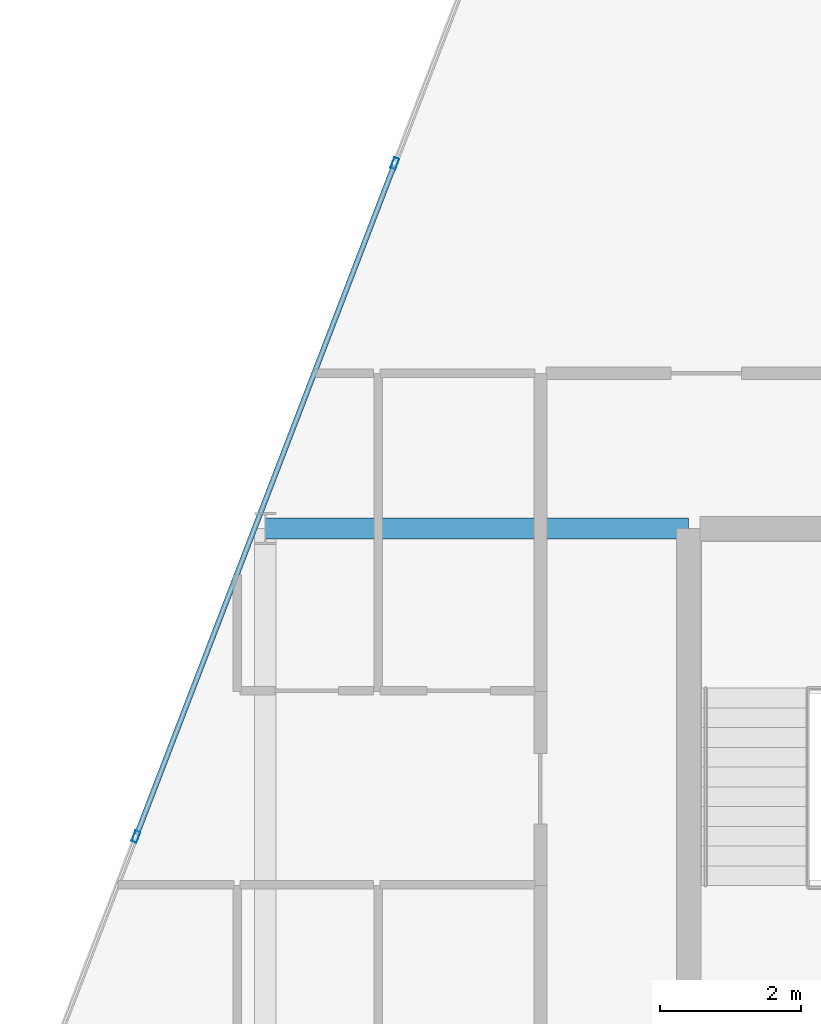
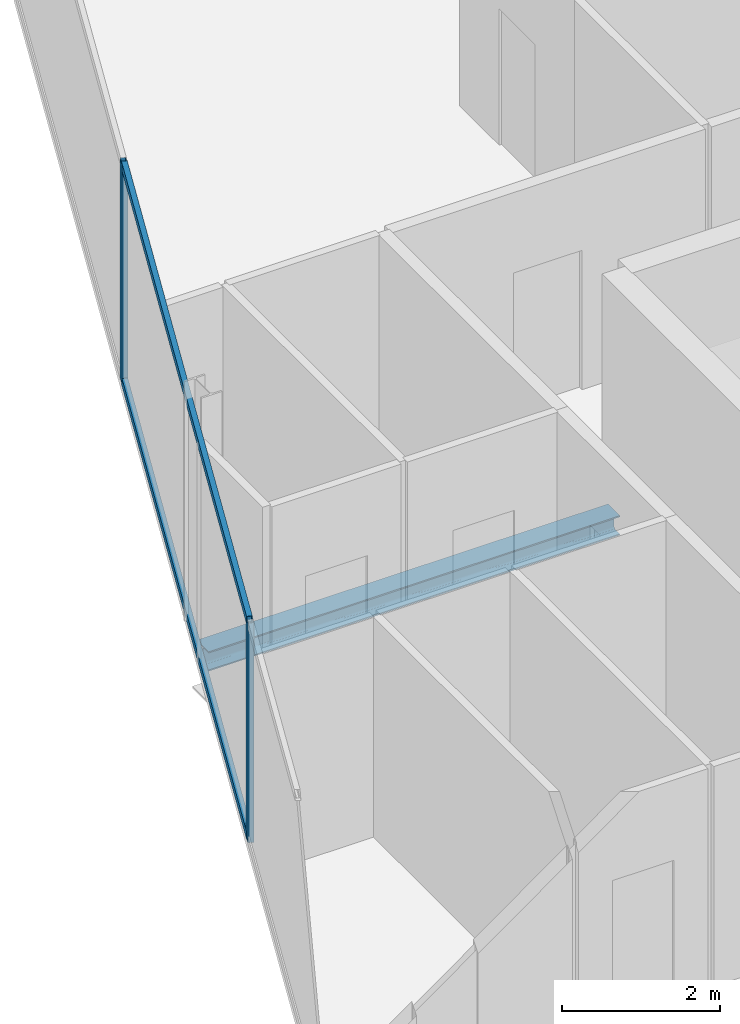
# One storey, part 16 of 29: 4 members, 1 beam, 1 element without a shape of its own.
"""IFC4 building model written with IfcOpenShell, lengths in metres."""

import ifcopenshell
import ifcopenshell.guid

model = None  # the IFC model being written
_history = None  # IfcOwnerHistory: only IFC2X3 demands one
_inside = {}  # id of a spatial element -> (the spatial element, [elements in it])
_under = {}  # id of a project, library or spatial element -> (it, [spatial elements below it])
_declared = {}  # id of a project -> (the project, [libraries it declares])
_typed = {}  # id of a type object -> (the type object, [elements of that type])
_made_of = {}  # id of a material, layer set ... -> (it, [elements and type objects made of it])


def new_model(schema):
    """Start an empty IFC model of exactly this schema.

    Asked for "IFC4X3", IfcOpenShell would pick the latest addendum, in which some entities
    have other attributes; the version numbers below select the first issue.
    IFC2X3 requires an IfcOwnerHistory on every rooted entity: one is made here for all.
    """
    global model, _history
    if schema == "IFC4X3":
        model = ifcopenshell.file(schema_version=(4, 3, 0, 0))
    else:
        model = ifcopenshell.file(schema=schema)
    _inside.clear()
    _under.clear()
    _declared.clear()
    _typed.clear()
    _made_of.clear()
    _history = None
    if model.schema == "IFC2X3":
        org = make("IfcOrganization", Name="unknown")
        user = make(
            "IfcPersonAndOrganization",
            ThePerson=make("IfcPerson", FamilyName="unknown"),
            TheOrganization=org,
        )
        app = make(
            "IfcApplication",
            ApplicationDeveloper=org,
            Version="unknown",
            ApplicationFullName="unknown",
            ApplicationIdentifier="unknown",
        )
        _history = make(
            "IfcOwnerHistory",
            OwningUser=user,
            OwningApplication=app,
            ChangeAction="ADDED",
            CreationDate=0,
        )
    return model


def make(cls, **values):
    """One entity of the class cls with the attributes given. An attribute that is None is left unset."""
    return model.create_entity(
        cls, **{name: value for name, value in values.items() if value is not None}
    )


def rooted(cls, **values):
    """An entity with a GlobalId (a new one), such as an element, a storey or a relation."""
    return make(cls, GlobalId=ifcopenshell.guid.new(), OwnerHistory=_history, **values)


def si_unit(unit_type, name, prefix=None):
    """IfcSIUnit, for example si_unit("LENGTHUNIT", "METRE", prefix="MILLI")."""
    return make("IfcSIUnit", UnitType=unit_type, Prefix=prefix, Name=name)


def assignment(units):
    """IfcUnitAssignment: the units of a project."""
    return None if units is None else make("IfcUnitAssignment", Units=units)


def point(xyz):
    """IfcCartesianPoint."""
    return None if xyz is None else make("IfcCartesianPoint", Coordinates=xyz)


def direction(xyz):
    """IfcDirection."""
    return None if xyz is None else make("IfcDirection", DirectionRatios=xyz)


def frame(location, z_axis=None, x_axis=None):
    """IfcAxis2Placement3D, a coordinate frame: its origin and axes. An axis left out is left unset."""
    return make(
        "IfcAxis2Placement3D",
        Location=point(location),
        Axis=direction(z_axis),
        RefDirection=direction(x_axis),
    )


def frame_2d(location, x_axis=None):
    """IfcAxis2Placement2D, a coordinate frame in the plane: its origin and x axis."""
    return make(
        "IfcAxis2Placement2D", Location=point(location), RefDirection=direction(x_axis)
    )


def origin():
    """The frame at (0, 0, 0) with its axes left unset."""
    return frame((0.0, 0.0, 0.0))


def origin_2d():
    """The frame at (0, 0) in the plane with its x axis left unset."""
    return frame_2d((0.0, 0.0))


def place(relative_to, where):
    """IfcLocalPlacement: puts the frame where relative to a parent placement (None: the world)."""
    return make(
        "IfcLocalPlacement", PlacementRelTo=relative_to, RelativePlacement=where
    )


def context(
    kind, dimensions, precision=None, world=None, true_north=None, identifier=None
):
    """IfcGeometricRepresentationContext, for example the 3D "Model" context."""
    return make(
        "IfcGeometricRepresentationContext",
        ContextIdentifier=identifier,
        ContextType=kind,
        CoordinateSpaceDimension=dimensions,
        Precision=precision,
        WorldCoordinateSystem=world,
        TrueNorth=true_north,
    )


def subcontext(parent, identifier, kind, view, scale=None):
    """IfcGeometricRepresentationSubContext, for example "Body" below "Model"."""
    return make(
        "IfcGeometricRepresentationSubContext",
        ContextIdentifier=identifier,
        ContextType=kind,
        ParentContext=parent,
        TargetScale=scale,
        TargetView=view,
    )


def project(units=None, contexts=None):
    """IfcProject with its units and contexts."""
    return rooted(
        "IfcProject",
        Name="project",
        RepresentationContexts=contexts,
        UnitsInContext=assignment(units),
    )


def spatial(cls, under=None, at=None, **own):
    """A site, building, storey or space (cls), placed at a placement, below another one or the project."""
    s = rooted(cls, ObjectPlacement=at, **own)
    if under is not None:
        _under.setdefault(under.id(), (under, []))[1].append(s)
    return s


def profile(cls, at=None, kind="AREA", **sizes):
    """A parametric profile (cls). Its sizes go by their IFC names, for example OverallWidth=200.0."""
    return make(cls, ProfileType=kind, Position=at, **sizes)


def hollow_rectangle(**sizes):
    """IfcRectangleHollowProfileDef."""
    return profile("IfcRectangleHollowProfileDef", **sizes)


def i_section(**sizes):
    """IfcIShapeProfileDef."""
    return profile("IfcIShapeProfileDef", **sizes)


def extrude(swept, where, along, depth):
    """IfcExtrudedAreaSolid: the profile swept, set in the frame where, extruded along a direction by depth."""
    return make(
        "IfcExtrudedAreaSolid",
        SweptArea=swept,
        Position=where,
        ExtrudedDirection=direction(along),
        Depth=depth,
    )


def shape(context_of_items, identifier, shape_type, items):
    """IfcShapeRepresentation: the items that make up one representation, for example the "Body"."""
    return make(
        "IfcShapeRepresentation",
        ContextOfItems=context_of_items,
        RepresentationIdentifier=identifier,
        RepresentationType=shape_type,
        Items=items,
    )


def material(Name=None, Category=None):
    """IfcMaterial."""
    return make("IfcMaterial", Name=Name, Category=Category)


def layer(
    of_material, thickness, ventilated=None, Name=None, Category=None, Priority=None
):
    """IfcMaterialLayer: one layer of a wall or slab, of a material (None: an air gap)."""
    return make(
        "IfcMaterialLayer",
        Material=of_material,
        LayerThickness=thickness,
        IsVentilated=ventilated,
        Name=Name,
        Category=Category,
        Priority=Priority,
    )


def layer_set(layers, Name=None):
    """IfcMaterialLayerSet."""
    return make("IfcMaterialLayerSet", MaterialLayers=layers, LayerSetName=Name)


def material_profile(
    of_material, cross_section, Name=None, Category=None, Priority=None
):
    """IfcMaterialProfile: a cross section and its material."""
    return make(
        "IfcMaterialProfile",
        Name=Name,
        Material=of_material,
        Profile=cross_section,
        Priority=Priority,
        Category=Category,
    )


def profile_set(profiles, Name=None, composite=None):
    """IfcMaterialProfileSet."""
    return make(
        "IfcMaterialProfileSet",
        Name=Name,
        MaterialProfiles=profiles,
        CompositeProfile=composite,
    )


def made_of(thing, what):
    """Note that an element or type object is made of a material, layer set ...; save() writes the relation."""
    if what is not None:
        _made_of.setdefault(what.id(), (what, []))[1].append(thing)
    return thing


def type_object(cls, material=None, **own):
    """A type object (cls), such as IfcWallType, which elements share."""
    return made_of(rooted(cls, **own), material)


def element(
    cls,
    number,
    at=None,
    inside=None,
    cuts=None,
    type_object=None,
    material=None,
    context=None,
    identifier="Body",
    shape_type=None,
    held_by="IfcProductDefinitionShape",
    body=None,
    shapes=None,
    **own,
):
    """One element of the class cls, such as IfcWall. Its Tag is "e" and its number.

    at: its placement. inside: the storey or other place that contains it. cuts: it is an
    opening in that element (IfcRelVoidsElement). A single representation is given by context,
    identifier, shape_type and body (its items); several are given by shapes. held_by: the class
    of the entity that holds the representations. save() writes the other relations.
    """
    e = rooted(cls, Tag="e%d" % number, ObjectPlacement=at, **own)
    if body is not None:
        shapes = [shape(context, identifier, shape_type, body)]
    if shapes is not None:
        e.Representation = make(held_by, Representations=shapes)
    if inside is not None:
        _inside.setdefault(inside.id(), (inside, []))[1].append(e)
    if cuts is not None:
        rooted(
            "IfcRelVoidsElement", RelatingBuildingElement=cuts, RelatedOpeningElement=e
        )
    if type_object is not None:
        _typed.setdefault(type_object.id(), (type_object, []))[1].append(e)
    return made_of(e, material)


def aggregate(whole, parts):
    """IfcRelAggregates: a whole, such as a stair, and the parts it consists of."""
    return rooted("IfcRelAggregates", RelatingObject=whole, RelatedObjects=parts)


def save(model, path):
    """Write the relations noted so far, then the file.

    IfcRelAggregates (storeys below a building ...), IfcRelContainedInSpatialStructure (elements
    in a storey), IfcRelDefinesByType, IfcRelAssociatesMaterial and IfcRelDeclares: one each for
    every whole, place, type object, material and project.
    """
    for whole, parts in _under.values():
        aggregate(whole, parts)
    for where, things in _inside.values():
        rooted(
            "IfcRelContainedInSpatialStructure",
            RelatedElements=things,
            RelatingStructure=where,
        )
    for kind, things in _typed.values():
        rooted("IfcRelDefinesByType", RelatedObjects=things, RelatingType=kind)
    for what, things in _made_of.values():
        rooted("IfcRelAssociatesMaterial", RelatedObjects=things, RelatingMaterial=what)
    for by, libraries in _declared.values():
        rooted("IfcRelDeclares", RelatingContext=by, RelatedDefinitions=libraries)
    model.write(path)


model = new_model("IFC4")

# Units and contexts
model_context = context("Model", 3, precision=1e-05, world=origin(), true_north=direction((0.0, 1.0)))
body_context = subcontext(model_context, "Body", "Model", "MODEL_VIEW")
ifc_project = project(units=[si_unit("LENGTHUNIT", "METRE"), si_unit("AREAUNIT", "SQUARE_METRE"), si_unit("VOLUMEUNIT", "CUBIC_METRE"), si_unit("PLANEANGLEUNIT", "RADIAN"), si_unit("MASSUNIT", "GRAM", prefix="KILO")], contexts=[model_context])

# Site, building, storey
site_placement = place(None, origin())
site = spatial("IfcSite", under=ifc_project, at=site_placement, CompositionType="ELEMENT")
building_placement = place(site_placement, origin())
building = spatial("IfcBuilding", under=site, at=building_placement, Name="Keshet Zoharim Tower", CompositionType="ELEMENT")
storey_placement = place(building_placement, frame((0.0, 0.0, 230.199951171875)))
storey = spatial("IfcBuildingStorey", under=building, at=storey_placement, Name="L57", CompositionType="ELEMENT", Elevation=230.199951171875)

# Beam
ifc_material_1 = material(Name="Steel S355", Category="steel")
ifc_material_profile_1 = material_profile(ifc_material_1, i_section(OverallWidth=0.300048828125, OverallDepth=0.300048828125, WebThickness=0.010986328125, FlangeThickness=0.01904296875, FilletRadius=0.027099609375, at=origin_2d()), Name="HEB300")
ifc_profile_set_1 = profile_set([ifc_material_profile_1], Name="Steel S355")
beam_type = type_object("IfcBeamType", Name="BM-PRI-HB300", PredefinedType="BEAM", material=ifc_profile_set_1)
beam_placement = place(storey_placement, frame((9.0, 37.89990234375, -0.4599609375), z_axis=(1.0, 0.0, 0.0), x_axis=(0.0, 1.0, 0.0)))
element("IfcBeam", 1, at=beam_placement, inside=storey, type_object=beam_type, Name="L57 Primary Girder X-017", PredefinedType="BEAM", context=body_context, shape_type="SweptSolid", body=[
    extrude(i_section(OverallWidth=0.300048828125, OverallDepth=0.300048828125, WebThickness=0.010986328125, FlangeThickness=0.01904296875, FilletRadius=0.027099609375, at=origin_2d()), origin(), (0.0, 0.0, 1.0), 6.0),
])

# Curtain wall, members
ifc_material_2 = material(Name="Aluminium 6063-T6", Category="aluminium")
ifc_layer = layer(ifc_material_2, 0.139892578125)
ifc_layer_set = layer_set([ifc_layer], Name="Aluminium 6063-T6")
curtain_wall_type = type_object("IfcCurtainWallType", Name="CW-SYS-05", PredefinedType="NOTDEFINED", material=ifc_layer_set)
curtain_wall_placement = place(storey_placement, origin())
curtain_wall = element("IfcCurtainWall", 2, at=curtain_wall_placement, inside=storey, type_object=curtain_wall_type, Name="L57 Unitised Curtain Wall 13", PredefinedType="NOTDEFINED")
ifc_material_profile_2 = material_profile(ifc_material_2, hollow_rectangle(XDim=0.074951171875, YDim=0.159912109375, WallThickness=0.00390625, at=origin_2d()), Name="MUL-75x160")
ifc_profile_set_2 = profile_set([ifc_material_profile_2], Name="Aluminium 6063-T6")
member_type_1 = type_object("IfcMemberType", Name="CWM-M15", PredefinedType="MULLION", material=ifc_profile_set_2)
member_1_placement = place(storey_placement, frame((7.1669921875, 33.53466796875, 0.0), z_axis=(0.0, 0.0, 1.0), x_axis=(-0.933341404361, 0.358990003907, 0.0)))
member_1 = element("IfcMember", 3, at=member_1_placement, type_object=member_type_1, Name="CW-05 mullion 2", PredefinedType="MULLION", context=body_context, shape_type="SweptSolid", body=[
    extrude(hollow_rectangle(XDim=0.074951171875, YDim=0.159912109375, WallThickness=0.00390625, at=origin_2d()), origin(), (0.0, 0.0, 1.0), 3.39013671875),
])
member_2_placement = place(storey_placement, frame((10.8369140625, 43.076416015625, 0.0), z_axis=(0.0, 0.0, 1.0), x_axis=(-0.933341404361, 0.358990003907, 0.0)))
member_2 = element("IfcMember", 4, at=member_2_placement, type_object=member_type_1, Name="CW-05 mullion 3", PredefinedType="MULLION", context=body_context, shape_type="SweptSolid", body=[
    extrude(hollow_rectangle(XDim=0.074951171875, YDim=0.159912109375, WallThickness=0.00390625, at=origin_2d()), origin(), (0.0, 0.0, 1.0), 3.39013671875),
])
ifc_material_profile_3 = material_profile(ifc_material_2, hollow_rectangle(XDim=0.074951171875, YDim=0.1201171875, WallThickness=0.00390625, at=origin_2d()), Name="TRN-75x120")
ifc_profile_set_3 = profile_set([ifc_material_profile_3], Name="Aluminium 6063-T6")
member_type_2 = type_object("IfcMemberType", Name="CWT-T12", PredefinedType="USERDEFINED", material=ifc_profile_set_3)
member_3_placement = place(storey_placement, frame((7.179443359375, 33.5673828125, 0.03515625), z_axis=(0.359003248899, 0.933336309848, 0.0), x_axis=(-0.933336309848, 0.359003248899, 0.0)))
member_3 = element("IfcMember", 5, at=member_3_placement, type_object=member_type_2, Name="CW-05 transom 2.1", ObjectType="TRANSOM", PredefinedType="USERDEFINED", context=body_context, shape_type="SweptSolid", body=[
    extrude(hollow_rectangle(XDim=0.074951171875, YDim=0.1201171875, WallThickness=0.00390625, at=origin_2d()), origin(), (0.0, 0.0, 1.0), 10.153076171875),
])
member_4_placement = place(storey_placement, frame((7.179443359375, 33.5673828125, 3.35498046875), z_axis=(0.359003248899, 0.933336309848, 0.0), x_axis=(-0.933336309848, 0.359003248899, 0.0)))
member_4 = element("IfcMember", 6, at=member_4_placement, type_object=member_type_2, Name="CW-05 transom 2.2", ObjectType="TRANSOM", PredefinedType="USERDEFINED", context=body_context, shape_type="SweptSolid", body=[
    extrude(hollow_rectangle(XDim=0.074951171875, YDim=0.1201171875, WallThickness=0.00390625, at=origin_2d()), origin(), (0.0, 0.0, 1.0), 10.153076171875),
])
aggregate(curtain_wall, [member_1, member_2, member_3, member_4])

save(model, "model.ifc")
